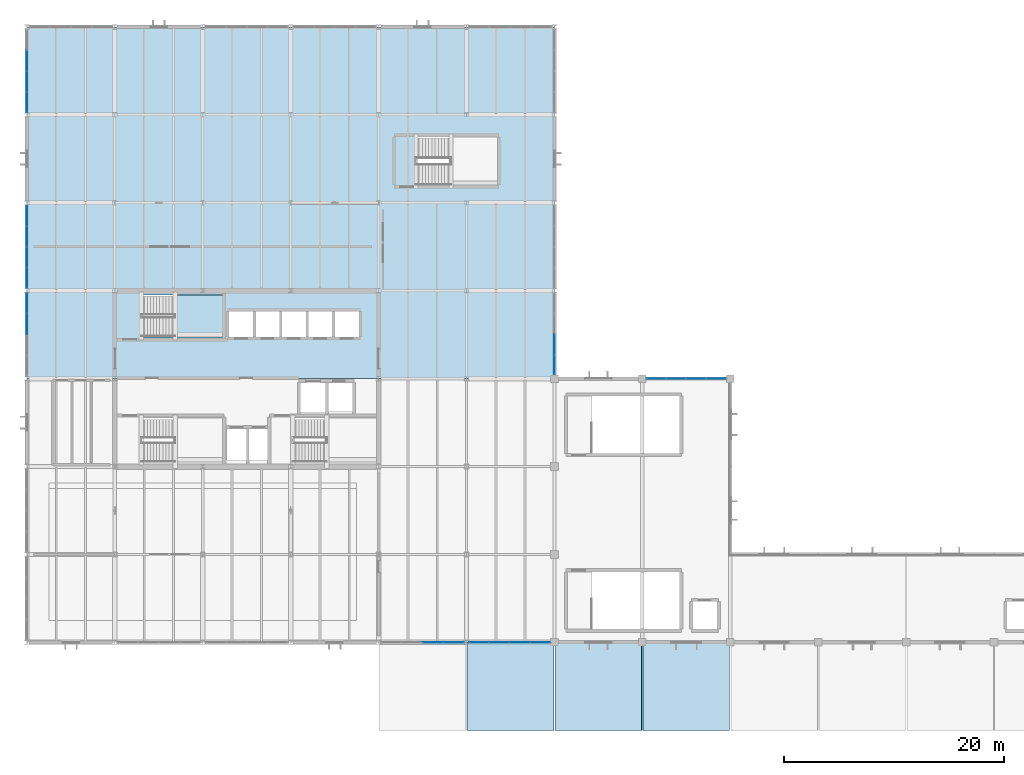
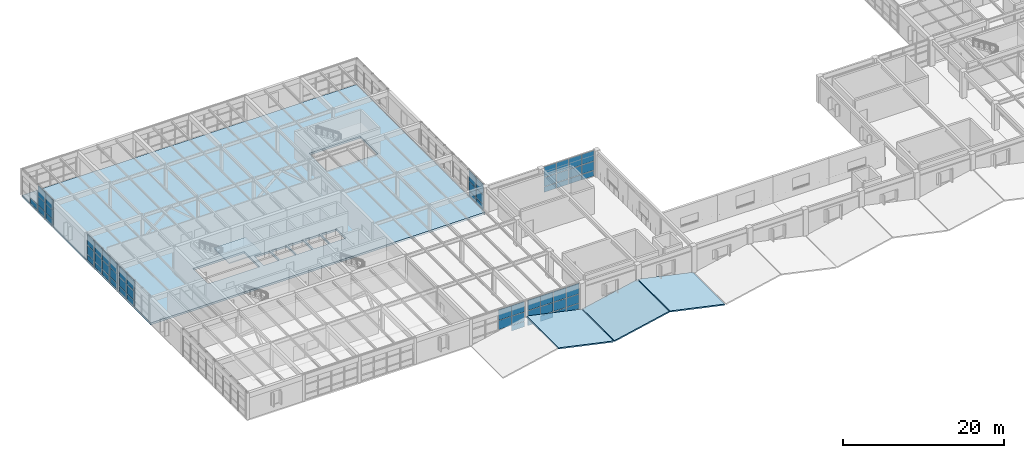
# One storey, part 30 of 48: 60 plates, 5 slabs, 8 elements without a shape of their own.
"""IFC4 building model written with IfcOpenShell, lengths in metres."""

from ifc_helpers import new_model, si_unit, direction, frame, origin, origin_2d, place, context, subcontext, project, spatial, polyline, rectangle, outline, extrude, material, layer, layer_set, type_object, element, aggregate, save


model = new_model("IFC4")

# Units and contexts
model_context = context("Model", 3, precision=1e-05, world=origin(), true_north=direction((0.0, 1.0)))
body_context = subcontext(model_context, "Body", "Model", "MODEL_VIEW")
ifc_project = project(units=[si_unit("LENGTHUNIT", "METRE"), si_unit("AREAUNIT", "SQUARE_METRE"), si_unit("VOLUMEUNIT", "CUBIC_METRE"), si_unit("PLANEANGLEUNIT", "RADIAN"), si_unit("MASSUNIT", "GRAM", prefix="KILO")], contexts=[model_context])

# Site, building, storey
site_placement = place(None, origin())
site = spatial("IfcSite", under=ifc_project, at=site_placement, CompositionType="ELEMENT")
building_placement = place(site_placement, origin())
building = spatial("IfcBuilding", under=site, at=building_placement, Name="Varnela Railside Interchange", CompositionType="ELEMENT")
storey_placement = place(building_placement, frame((0.0, 0.0, 11.199951171875)))
storey = spatial("IfcBuildingStorey", under=building, at=storey_placement, Name="L02", CompositionType="ELEMENT", Elevation=11.199951171875)

# Curtain wall, plates
ifc_material_1 = material(Name="Aluminium 6063-T6", Category="aluminium")
ifc_layer_1 = layer(ifc_material_1, 0.035888671875)
ifc_layer_set_1 = layer_set([ifc_layer_1], Name="Aluminium 6063-T6")
curtain_wall_type_1 = type_object("IfcCurtainWallType", Name="Operations Wing Facade Curtain Wall CW-03", PredefinedType="USERDEFINED", material=ifc_layer_set_1)
curtain_wall_1_placement = place(storey_placement, origin())
curtain_wall_1 = element("IfcCurtainWall", 1, at=curtain_wall_1_placement, inside=storey, type_object=curtain_wall_type_1, Name="Curtain Wall CW-03 (L02) (CW-047)", ObjectType="CURTAIN WALL", PredefinedType="USERDEFINED")
ifc_material_2 = material(Name="Glass laminated double", Category="glass")
ifc_layer_2 = layer(ifc_material_2, 0.0400390625)
ifc_layer_set_2 = layer_set([ifc_layer_2], Name="Glass laminated double")
plate_type_1 = type_object("IfcPlateType", Name="Acoustic Laminated Vision GL-03", PredefinedType="CURTAIN_PANEL", material=ifc_layer_set_2)
plate_1_placement = place(storey_placement, frame((4.0, 66.953125, 0.06005859375), z_axis=(0.0, 0.0, 1.0), x_axis=(0.0, 1.0, 0.0)))
plate_1 = element("IfcPlate", 2, at=plate_1_placement, type_object=plate_type_1, Name="CW-03 panel 3.1", PredefinedType="CURTAIN_PANEL", context=body_context, shape_type="SweptSolid", body=[
    extrude(rectangle(XDim=1.84619140625, YDim=0.0400390625, at=origin_2d()), origin(), (0.0, 0.0, 1.0), 0.81005859375),
])
plate_2_placement = place(storey_placement, frame((4.0, 66.953125, 0.93017578125), z_axis=(0.0, 0.0, 1.0), x_axis=(0.0, 1.0, 0.0)))
plate_2 = element("IfcPlate", 3, at=plate_2_placement, type_object=plate_type_1, Name="CW-03 panel 3.2", PredefinedType="CURTAIN_PANEL", context=body_context, shape_type="SweptSolid", body=[
    extrude(rectangle(XDim=1.84619140625, YDim=0.0400390625, at=origin_2d()), origin(), (0.0, 0.0, 1.0), 1.360107421875),
])
plate_3_placement = place(storey_placement, frame((4.0, 66.953125, 2.35009765625), z_axis=(0.0, 0.0, 1.0), x_axis=(0.0, 1.0, 0.0)))
plate_3 = element("IfcPlate", 4, at=plate_3_placement, type_object=plate_type_1, Name="CW-03 panel 3.3", PredefinedType="CURTAIN_PANEL", context=body_context, shape_type="SweptSolid", body=[
    extrude(rectangle(XDim=1.84619140625, YDim=0.0400390625, at=origin_2d()), origin(), (0.0, 0.0, 1.0), 1.590087890625),
])
plate_4_placement = place(storey_placement, frame((4.0, 68.844482421875, 0.06005859375), z_axis=(0.0, 0.0, 1.0), x_axis=(0.0, 1.0, 0.0)))
plate_4 = element("IfcPlate", 5, at=plate_4_placement, type_object=plate_type_1, Name="CW-03 panel 4.1", PredefinedType="CURTAIN_PANEL", context=body_context, shape_type="SweptSolid", body=[
    extrude(rectangle(XDim=1.816162109375, YDim=0.0400390625, at=origin_2d()), origin(), (0.0, 0.0, 1.0), 0.81005859375),
])
plate_5_placement = place(storey_placement, frame((4.0, 68.844482421875, 0.93017578125), z_axis=(0.0, 0.0, 1.0), x_axis=(0.0, 1.0, 0.0)))
plate_5 = element("IfcPlate", 6, at=plate_5_placement, type_object=plate_type_1, Name="CW-03 panel 4.2", PredefinedType="CURTAIN_PANEL", context=body_context, shape_type="SweptSolid", body=[
    extrude(rectangle(XDim=1.816162109375, YDim=0.0400390625, at=origin_2d()), origin(), (0.0, 0.0, 1.0), 1.360107421875),
])
plate_6_placement = place(storey_placement, frame((4.0, 68.844482421875, 2.35009765625), z_axis=(0.0, 0.0, 1.0), x_axis=(0.0, 1.0, 0.0)))
plate_6 = element("IfcPlate", 7, at=plate_6_placement, type_object=plate_type_1, Name="CW-03 panel 4.3", PredefinedType="CURTAIN_PANEL", context=body_context, shape_type="SweptSolid", body=[
    extrude(rectangle(XDim=1.816162109375, YDim=0.0400390625, at=origin_2d()), origin(), (0.0, 0.0, 1.0), 1.590087890625),
])
aggregate(curtain_wall_1, [plate_1, plate_2, plate_3, plate_4, plate_5, plate_6])

curtain_wall_2_placement = place(storey_placement, origin())
curtain_wall_2 = element("IfcCurtainWall", 8, at=curtain_wall_2_placement, inside=storey, type_object=curtain_wall_type_1, Name="Curtain Wall CW-03 (L02) (CW-053)", ObjectType="CURTAIN WALL", PredefinedType="USERDEFINED")
plate_7_placement = place(storey_placement, frame((4.0, 71.155517578125, 0.06005859375), z_axis=(0.0, 0.0, 1.0), x_axis=(0.0, 1.0, 0.0)))
plate_7 = element("IfcPlate", 9, at=plate_7_placement, type_object=plate_type_1, Name="CW-03 panel 1.1", PredefinedType="CURTAIN_PANEL", context=body_context, shape_type="SweptSolid", body=[
    extrude(rectangle(XDim=1.816162109375, YDim=0.0400390625, at=origin_2d()), origin(), (0.0, 0.0, 1.0), 0.81005859375),
])
plate_8_placement = place(storey_placement, frame((4.0, 71.155517578125, 0.93017578125), z_axis=(0.0, 0.0, 1.0), x_axis=(0.0, 1.0, 0.0)))
plate_8 = element("IfcPlate", 10, at=plate_8_placement, type_object=plate_type_1, Name="CW-03 panel 1.2", PredefinedType="CURTAIN_PANEL", context=body_context, shape_type="SweptSolid", body=[
    extrude(rectangle(XDim=1.816162109375, YDim=0.0400390625, at=origin_2d()), origin(), (0.0, 0.0, 1.0), 1.360107421875),
])
plate_9_placement = place(storey_placement, frame((4.0, 71.155517578125, 2.35009765625), z_axis=(0.0, 0.0, 1.0), x_axis=(0.0, 1.0, 0.0)))
plate_9 = element("IfcPlate", 11, at=plate_9_placement, type_object=plate_type_1, Name="CW-03 panel 1.3", PredefinedType="CURTAIN_PANEL", context=body_context, shape_type="SweptSolid", body=[
    extrude(rectangle(XDim=1.816162109375, YDim=0.0400390625, at=origin_2d()), origin(), (0.0, 0.0, 1.0), 1.590087890625),
])
plate_10_placement = place(storey_placement, frame((4.0, 73.046875, 0.06005859375), z_axis=(0.0, 0.0, 1.0), x_axis=(0.0, 1.0, 0.0)))
plate_10 = element("IfcPlate", 12, at=plate_10_placement, type_object=plate_type_1, Name="CW-03 panel 2.1", PredefinedType="CURTAIN_PANEL", context=body_context, shape_type="SweptSolid", body=[
    extrude(rectangle(XDim=1.84619140625, YDim=0.0400390625, at=origin_2d()), origin(), (0.0, 0.0, 1.0), 0.81005859375),
])
plate_11_placement = place(storey_placement, frame((4.0, 73.046875, 0.93017578125), z_axis=(0.0, 0.0, 1.0), x_axis=(0.0, 1.0, 0.0)))
plate_11 = element("IfcPlate", 13, at=plate_11_placement, type_object=plate_type_1, Name="CW-03 panel 2.2", PredefinedType="CURTAIN_PANEL", context=body_context, shape_type="SweptSolid", body=[
    extrude(rectangle(XDim=1.84619140625, YDim=0.0400390625, at=origin_2d()), origin(), (0.0, 0.0, 1.0), 1.360107421875),
])
plate_12_placement = place(storey_placement, frame((4.0, 73.046875, 2.35009765625), z_axis=(0.0, 0.0, 1.0), x_axis=(0.0, 1.0, 0.0)))
plate_12 = element("IfcPlate", 14, at=plate_12_placement, type_object=plate_type_1, Name="CW-03 panel 2.3", PredefinedType="CURTAIN_PANEL", context=body_context, shape_type="SweptSolid", body=[
    extrude(rectangle(XDim=1.84619140625, YDim=0.0400390625, at=origin_2d()), origin(), (0.0, 0.0, 1.0), 1.590087890625),
])
plate_13_placement = place(storey_placement, frame((4.0, 74.953125, 0.06005859375), z_axis=(0.0, 0.0, 1.0), x_axis=(0.0, 1.0, 0.0)))
plate_13 = element("IfcPlate", 15, at=plate_13_placement, type_object=plate_type_1, Name="CW-03 panel 3.1", PredefinedType="CURTAIN_PANEL", context=body_context, shape_type="SweptSolid", body=[
    extrude(rectangle(XDim=1.84619140625, YDim=0.0400390625, at=origin_2d()), origin(), (0.0, 0.0, 1.0), 0.81005859375),
])
plate_14_placement = place(storey_placement, frame((4.0, 74.953125, 0.93017578125), z_axis=(0.0, 0.0, 1.0), x_axis=(0.0, 1.0, 0.0)))
plate_14 = element("IfcPlate", 16, at=plate_14_placement, type_object=plate_type_1, Name="CW-03 panel 3.2", PredefinedType="CURTAIN_PANEL", context=body_context, shape_type="SweptSolid", body=[
    extrude(rectangle(XDim=1.84619140625, YDim=0.0400390625, at=origin_2d()), origin(), (0.0, 0.0, 1.0), 1.360107421875),
])
plate_15_placement = place(storey_placement, frame((4.0, 74.953125, 2.35009765625), z_axis=(0.0, 0.0, 1.0), x_axis=(0.0, 1.0, 0.0)))
plate_15 = element("IfcPlate", 17, at=plate_15_placement, type_object=plate_type_1, Name="CW-03 panel 3.3", PredefinedType="CURTAIN_PANEL", context=body_context, shape_type="SweptSolid", body=[
    extrude(rectangle(XDim=1.84619140625, YDim=0.0400390625, at=origin_2d()), origin(), (0.0, 0.0, 1.0), 1.590087890625),
])
plate_16_placement = place(storey_placement, frame((4.0, 76.844482421875, 0.06005859375), z_axis=(0.0, 0.0, 1.0), x_axis=(0.0, 1.0, 0.0)))
plate_16 = element("IfcPlate", 18, at=plate_16_placement, type_object=plate_type_1, Name="CW-03 panel 4.1", PredefinedType="CURTAIN_PANEL", context=body_context, shape_type="SweptSolid", body=[
    extrude(rectangle(XDim=1.816162109375, YDim=0.0400390625, at=origin_2d()), origin(), (0.0, 0.0, 1.0), 0.81005859375),
])
plate_17_placement = place(storey_placement, frame((4.0, 76.844482421875, 0.93017578125), z_axis=(0.0, 0.0, 1.0), x_axis=(0.0, 1.0, 0.0)))
plate_17 = element("IfcPlate", 19, at=plate_17_placement, type_object=plate_type_1, Name="CW-03 panel 4.2", PredefinedType="CURTAIN_PANEL", context=body_context, shape_type="SweptSolid", body=[
    extrude(rectangle(XDim=1.816162109375, YDim=0.0400390625, at=origin_2d()), origin(), (0.0, 0.0, 1.0), 1.360107421875),
])
plate_18_placement = place(storey_placement, frame((4.0, 76.844482421875, 2.35009765625), z_axis=(0.0, 0.0, 1.0), x_axis=(0.0, 1.0, 0.0)))
plate_18 = element("IfcPlate", 20, at=plate_18_placement, type_object=plate_type_1, Name="CW-03 panel 4.3", PredefinedType="CURTAIN_PANEL", context=body_context, shape_type="SweptSolid", body=[
    extrude(rectangle(XDim=1.816162109375, YDim=0.0400390625, at=origin_2d()), origin(), (0.0, 0.0, 1.0), 1.590087890625),
])
aggregate(curtain_wall_2, [plate_7, plate_8, plate_9, plate_10, plate_11, plate_12, plate_13, plate_14, plate_15, plate_16, plate_17, plate_18])

curtain_wall_3_placement = place(storey_placement, origin())
curtain_wall_3 = element("IfcCurtainWall", 21, at=curtain_wall_3_placement, inside=storey, type_object=curtain_wall_type_1, Name="Curtain Wall CW-03 (L02) (CW-061)", ObjectType="CURTAIN WALL", PredefinedType="USERDEFINED")
plate_19_placement = place(storey_placement, frame((4.0, 87.155517578125, 0.06005859375), z_axis=(0.0, 0.0, 1.0), x_axis=(0.0, 1.0, 0.0)))
plate_19 = element("IfcPlate", 22, at=plate_19_placement, type_object=plate_type_1, Name="CW-03 panel 1.1", PredefinedType="CURTAIN_PANEL", context=body_context, shape_type="SweptSolid", body=[
    extrude(rectangle(XDim=1.816162109375, YDim=0.0400390625, at=origin_2d()), origin(), (0.0, 0.0, 1.0), 0.81005859375),
])
plate_20_placement = place(storey_placement, frame((4.0, 87.155517578125, 0.93017578125), z_axis=(0.0, 0.0, 1.0), x_axis=(0.0, 1.0, 0.0)))
plate_20 = element("IfcPlate", 23, at=plate_20_placement, type_object=plate_type_1, Name="CW-03 panel 1.2", PredefinedType="CURTAIN_PANEL", context=body_context, shape_type="SweptSolid", body=[
    extrude(rectangle(XDim=1.816162109375, YDim=0.0400390625, at=origin_2d()), origin(), (0.0, 0.0, 1.0), 1.360107421875),
])
plate_21_placement = place(storey_placement, frame((4.0, 87.155517578125, 2.35009765625), z_axis=(0.0, 0.0, 1.0), x_axis=(0.0, 1.0, 0.0)))
plate_21 = element("IfcPlate", 24, at=plate_21_placement, type_object=plate_type_1, Name="CW-03 panel 1.3", PredefinedType="CURTAIN_PANEL", context=body_context, shape_type="SweptSolid", body=[
    extrude(rectangle(XDim=1.816162109375, YDim=0.0400390625, at=origin_2d()), origin(), (0.0, 0.0, 1.0), 1.590087890625),
])
plate_22_placement = place(storey_placement, frame((4.0, 89.046875, 0.06005859375), z_axis=(0.0, 0.0, 1.0), x_axis=(0.0, 1.0, 0.0)))
plate_22 = element("IfcPlate", 25, at=plate_22_placement, type_object=plate_type_1, Name="CW-03 panel 2.1", PredefinedType="CURTAIN_PANEL", context=body_context, shape_type="SweptSolid", body=[
    extrude(rectangle(XDim=1.84619140625, YDim=0.0400390625, at=origin_2d()), origin(), (0.0, 0.0, 1.0), 0.81005859375),
])
plate_23_placement = place(storey_placement, frame((4.0, 89.046875, 0.93017578125), z_axis=(0.0, 0.0, 1.0), x_axis=(0.0, 1.0, 0.0)))
plate_23 = element("IfcPlate", 26, at=plate_23_placement, type_object=plate_type_1, Name="CW-03 panel 2.2", PredefinedType="CURTAIN_PANEL", context=body_context, shape_type="SweptSolid", body=[
    extrude(rectangle(XDim=1.84619140625, YDim=0.0400390625, at=origin_2d()), origin(), (0.0, 0.0, 1.0), 1.360107421875),
])
plate_24_placement = place(storey_placement, frame((4.0, 89.046875, 2.35009765625), z_axis=(0.0, 0.0, 1.0), x_axis=(0.0, 1.0, 0.0)))
plate_24 = element("IfcPlate", 27, at=plate_24_placement, type_object=plate_type_1, Name="CW-03 panel 2.3", PredefinedType="CURTAIN_PANEL", context=body_context, shape_type="SweptSolid", body=[
    extrude(rectangle(XDim=1.84619140625, YDim=0.0400390625, at=origin_2d()), origin(), (0.0, 0.0, 1.0), 1.590087890625),
])
plate_25_placement = place(storey_placement, frame((4.0, 90.953125, 0.06005859375), z_axis=(0.0, 0.0, 1.0), x_axis=(0.0, 1.0, 0.0)))
plate_25 = element("IfcPlate", 28, at=plate_25_placement, type_object=plate_type_1, Name="CW-03 panel 3.1", PredefinedType="CURTAIN_PANEL", context=body_context, shape_type="SweptSolid", body=[
    extrude(rectangle(XDim=1.84619140625, YDim=0.0400390625, at=origin_2d()), origin(), (0.0, 0.0, 1.0), 0.81005859375),
])
aggregate(curtain_wall_3, [plate_19, plate_20, plate_21, plate_22, plate_23, plate_24, plate_25])

curtain_wall_4_placement = place(storey_placement, origin())
curtain_wall_4 = element("IfcCurtainWall", 29, at=curtain_wall_4_placement, inside=storey, type_object=curtain_wall_type_1, Name="Curtain Wall CW-03 (L02) (CW-051)", ObjectType="CURTAIN WALL", PredefinedType="USERDEFINED")
plate_26_placement = place(storey_placement, frame((52.0, 65.1484375, 0.06005859375), z_axis=(0.0, 0.0, 1.0), x_axis=(0.0, -1.0, 0.0)))
plate_26 = element("IfcPlate", 30, at=plate_26_placement, type_object=plate_type_1, Name="CW-03 panel 3.1", PredefinedType="CURTAIN_PANEL", context=body_context, shape_type="SweptSolid", body=[
    extrude(rectangle(XDim=1.8056640625, YDim=0.0400390625, at=origin_2d()), origin(), (0.0, 0.0, 1.0), 0.81005859375),
])
plate_27_placement = place(storey_placement, frame((52.0, 65.1484375, 0.93017578125), z_axis=(0.0, 0.0, 1.0), x_axis=(0.0, -1.0, 0.0)))
plate_27 = element("IfcPlate", 31, at=plate_27_placement, type_object=plate_type_1, Name="CW-03 panel 3.2", PredefinedType="CURTAIN_PANEL", context=body_context, shape_type="SweptSolid", body=[
    extrude(rectangle(XDim=1.8056640625, YDim=0.0400390625, at=origin_2d()), origin(), (0.0, 0.0, 1.0), 1.360107421875),
])
plate_28_placement = place(storey_placement, frame((52.0, 65.1484375, 2.35009765625), z_axis=(0.0, 0.0, 1.0), x_axis=(0.0, -1.0, 0.0)))
plate_28 = element("IfcPlate", 32, at=plate_28_placement, type_object=plate_type_1, Name="CW-03 panel 3.3", PredefinedType="CURTAIN_PANEL", context=body_context, shape_type="SweptSolid", body=[
    extrude(rectangle(XDim=1.8056640625, YDim=0.0400390625, at=origin_2d()), origin(), (0.0, 0.0, 1.0), 1.590087890625),
])
plate_29_placement = place(storey_placement, frame((52.0, 63.2978515625, 0.06005859375), z_axis=(0.0, 0.0, 1.0), x_axis=(0.0, -1.0, 0.0)))
plate_29 = element("IfcPlate", 33, at=plate_29_placement, type_object=plate_type_1, Name="CW-03 panel 4.1", PredefinedType="CURTAIN_PANEL", context=body_context, shape_type="SweptSolid", body=[
    extrude(rectangle(XDim=1.775634765625, YDim=0.0400390625, at=origin_2d()), origin(), (0.0, 0.0, 1.0), 0.81005859375),
])
plate_30_placement = place(storey_placement, frame((52.0, 63.2978515625, 0.93017578125), z_axis=(0.0, 0.0, 1.0), x_axis=(0.0, -1.0, 0.0)))
plate_30 = element("IfcPlate", 34, at=plate_30_placement, type_object=plate_type_1, Name="CW-03 panel 4.2", PredefinedType="CURTAIN_PANEL", context=body_context, shape_type="SweptSolid", body=[
    extrude(rectangle(XDim=1.775634765625, YDim=0.0400390625, at=origin_2d()), origin(), (0.0, 0.0, 1.0), 1.360107421875),
])
plate_31_placement = place(storey_placement, frame((52.0, 63.2978515625, 2.35009765625), z_axis=(0.0, 0.0, 1.0), x_axis=(0.0, -1.0, 0.0)))
plate_31 = element("IfcPlate", 35, at=plate_31_placement, type_object=plate_type_1, Name="CW-03 panel 4.3", PredefinedType="CURTAIN_PANEL", context=body_context, shape_type="SweptSolid", body=[
    extrude(rectangle(XDim=1.775634765625, YDim=0.0400390625, at=origin_2d()), origin(), (0.0, 0.0, 1.0), 1.590087890625),
])
aggregate(curtain_wall_4, [plate_26, plate_27, plate_28, plate_29, plate_30, plate_31])

curtain_wall_5_placement = place(storey_placement, origin())
curtain_wall_5 = element("IfcCurtainWall", 36, at=curtain_wall_5_placement, inside=storey, type_object=curtain_wall_type_1, Name="Curtain Wall CW-03 (L02) (CW-068)", ObjectType="CURTAIN WALL", PredefinedType="USERDEFINED")
plate_32_placement = place(storey_placement, frame((50.703369140625, 38.0, 0.06005859375), z_axis=(0.0, 0.0, 1.0), x_axis=(-1.0, 0.0, 0.0)))
plate_32 = element("IfcPlate", 37, at=plate_32_placement, type_object=plate_type_1, Name="CW-03 panel 1.1", PredefinedType="CURTAIN_PANEL", context=body_context, shape_type="SweptSolid", body=[
    extrude(rectangle(XDim=1.773193359375, YDim=0.0400390625, at=origin_2d()), origin(), (0.0, 0.0, 1.0), 0.81005859375),
])
plate_33_placement = place(storey_placement, frame((50.703369140625, 38.0, 0.93017578125), z_axis=(0.0, 0.0, 1.0), x_axis=(-1.0, 0.0, 0.0)))
plate_33 = element("IfcPlate", 38, at=plate_33_placement, type_object=plate_type_1, Name="CW-03 panel 1.2", PredefinedType="CURTAIN_PANEL", context=body_context, shape_type="SweptSolid", body=[
    extrude(rectangle(XDim=1.773193359375, YDim=0.0400390625, at=origin_2d()), origin(), (0.0, 0.0, 1.0), 1.360107421875),
])
plate_34_placement = place(storey_placement, frame((50.703369140625, 38.0, 2.35009765625), z_axis=(0.0, 0.0, 1.0), x_axis=(-1.0, 0.0, 0.0)))
plate_34 = element("IfcPlate", 39, at=plate_34_placement, type_object=plate_type_1, Name="CW-03 panel 1.3", PredefinedType="CURTAIN_PANEL", context=body_context, shape_type="SweptSolid", body=[
    extrude(rectangle(XDim=1.773193359375, YDim=0.0400390625, at=origin_2d()), origin(), (0.0, 0.0, 1.0), 1.590087890625),
])
plate_35_placement = place(storey_placement, frame((48.855224609375, 38.0, 0.06005859375), z_axis=(0.0, 0.0, 1.0), x_axis=(-1.0, 0.0, 0.0)))
plate_35 = element("IfcPlate", 40, at=plate_35_placement, type_object=plate_type_1, Name="CW-03 panel 2.1", PredefinedType="CURTAIN_PANEL", context=body_context, shape_type="SweptSolid", body=[
    extrude(rectangle(XDim=1.80322265625, YDim=0.0400390625, at=origin_2d()), origin(), (0.0, 0.0, 1.0), 0.81005859375),
])
plate_36_placement = place(storey_placement, frame((48.855224609375, 38.0, 0.93017578125), z_axis=(0.0, 0.0, 1.0), x_axis=(-1.0, 0.0, 0.0)))
plate_36 = element("IfcPlate", 41, at=plate_36_placement, type_object=plate_type_1, Name="CW-03 panel 2.2", PredefinedType="CURTAIN_PANEL", context=body_context, shape_type="SweptSolid", body=[
    extrude(rectangle(XDim=1.80322265625, YDim=0.0400390625, at=origin_2d()), origin(), (0.0, 0.0, 1.0), 1.360107421875),
])
plate_37_placement = place(storey_placement, frame((48.855224609375, 38.0, 2.35009765625), z_axis=(0.0, 0.0, 1.0), x_axis=(-1.0, 0.0, 0.0)))
plate_37 = element("IfcPlate", 42, at=plate_37_placement, type_object=plate_type_1, Name="CW-03 panel 2.3", PredefinedType="CURTAIN_PANEL", context=body_context, shape_type="SweptSolid", body=[
    extrude(rectangle(XDim=1.80322265625, YDim=0.0400390625, at=origin_2d()), origin(), (0.0, 0.0, 1.0), 1.590087890625),
])
plate_38_placement = place(storey_placement, frame((46.991943359375, 38.0, 0.06005859375), z_axis=(0.0, 0.0, 1.0), x_axis=(-1.0, 0.0, 0.0)))
plate_38 = element("IfcPlate", 43, at=plate_38_placement, type_object=plate_type_1, Name="CW-03 panel 3.1", PredefinedType="CURTAIN_PANEL", context=body_context, shape_type="SweptSolid", body=[
    extrude(rectangle(XDim=1.80322265625, YDim=0.0400390625, at=origin_2d()), origin(), (0.0, 0.0, 1.0), 0.81005859375),
])
plate_39_placement = place(storey_placement, frame((46.991943359375, 38.0, 0.93017578125), z_axis=(0.0, 0.0, 1.0), x_axis=(-1.0, 0.0, 0.0)))
plate_39 = element("IfcPlate", 44, at=plate_39_placement, type_object=plate_type_1, Name="CW-03 panel 3.2", PredefinedType="CURTAIN_PANEL", context=body_context, shape_type="SweptSolid", body=[
    extrude(rectangle(XDim=1.80322265625, YDim=0.0400390625, at=origin_2d()), origin(), (0.0, 0.0, 1.0), 1.360107421875),
])
plate_40_placement = place(storey_placement, frame((46.991943359375, 38.0, 2.35009765625), z_axis=(0.0, 0.0, 1.0), x_axis=(-1.0, 0.0, 0.0)))
plate_40 = element("IfcPlate", 45, at=plate_40_placement, type_object=plate_type_1, Name="CW-03 panel 3.3", PredefinedType="CURTAIN_PANEL", context=body_context, shape_type="SweptSolid", body=[
    extrude(rectangle(XDim=1.80322265625, YDim=0.0400390625, at=origin_2d()), origin(), (0.0, 0.0, 1.0), 1.590087890625),
])
plate_41_placement = place(storey_placement, frame((45.1435546875, 38.0, 0.06005859375), z_axis=(0.0, 0.0, 1.0), x_axis=(-1.0, 0.0, 0.0)))
plate_41 = element("IfcPlate", 46, at=plate_41_placement, type_object=plate_type_1, Name="CW-03 panel 4.1", PredefinedType="CURTAIN_PANEL", context=body_context, shape_type="SweptSolid", body=[
    extrude(rectangle(XDim=1.773193359375, YDim=0.0400390625, at=origin_2d()), origin(), (0.0, 0.0, 1.0), 0.81005859375),
])
plate_42_placement = place(storey_placement, frame((45.1435546875, 38.0, 0.93017578125), z_axis=(0.0, 0.0, 1.0), x_axis=(-1.0, 0.0, 0.0)))
plate_42 = element("IfcPlate", 47, at=plate_42_placement, type_object=plate_type_1, Name="CW-03 panel 4.2", PredefinedType="CURTAIN_PANEL", context=body_context, shape_type="SweptSolid", body=[
    extrude(rectangle(XDim=1.773193359375, YDim=0.0400390625, at=origin_2d()), origin(), (0.0, 0.0, 1.0), 1.360107421875),
])
plate_43_placement = place(storey_placement, frame((45.1435546875, 38.0, 2.35009765625), z_axis=(0.0, 0.0, 1.0), x_axis=(-1.0, 0.0, 0.0)))
plate_43 = element("IfcPlate", 48, at=plate_43_placement, type_object=plate_type_1, Name="CW-03 panel 4.3", PredefinedType="CURTAIN_PANEL", context=body_context, shape_type="SweptSolid", body=[
    extrude(rectangle(XDim=1.773193359375, YDim=0.0400390625, at=origin_2d()), origin(), (0.0, 0.0, 1.0), 1.590087890625),
])
aggregate(curtain_wall_5, [plate_32, plate_33, plate_34, plate_35, plate_36, plate_37, plate_38, plate_39, plate_40, plate_41, plate_42, plate_43])

curtain_wall_6_placement = place(storey_placement, origin())
curtain_wall_6 = element("IfcCurtainWall", 49, at=curtain_wall_6_placement, inside=storey, type_object=curtain_wall_type_1, Name="Curtain Wall CW-03 (L02) (CW-069)", ObjectType="CURTAIN WALL", PredefinedType="USERDEFINED")
plate_44_placement = place(storey_placement, frame((42.837158203125, 38.0, 0.06005859375), z_axis=(0.0, 0.0, 1.0), x_axis=(-1.0, 0.0, 0.0)))
plate_44 = element("IfcPlate", 50, at=plate_44_placement, type_object=plate_type_1, Name="CW-03 panel 1.1", PredefinedType="CURTAIN_PANEL", context=body_context, shape_type="SweptSolid", body=[
    extrude(rectangle(XDim=1.8115234375, YDim=0.0400390625, at=origin_2d()), origin(), (0.0, 0.0, 1.0), 0.81005859375),
])
plate_45_placement = place(storey_placement, frame((42.837158203125, 38.0, 0.93017578125), z_axis=(0.0, 0.0, 1.0), x_axis=(-1.0, 0.0, 0.0)))
plate_45 = element("IfcPlate", 51, at=plate_45_placement, type_object=plate_type_1, Name="CW-03 panel 1.2", PredefinedType="CURTAIN_PANEL", context=body_context, shape_type="SweptSolid", body=[
    extrude(rectangle(XDim=1.8115234375, YDim=0.0400390625, at=origin_2d()), origin(), (0.0, 0.0, 1.0), 1.360107421875),
])
plate_46_placement = place(storey_placement, frame((42.837158203125, 38.0, 2.35009765625), z_axis=(0.0, 0.0, 1.0), x_axis=(-1.0, 0.0, 0.0)))
plate_46 = element("IfcPlate", 52, at=plate_46_placement, type_object=plate_type_1, Name="CW-03 panel 1.3", PredefinedType="CURTAIN_PANEL", context=body_context, shape_type="SweptSolid", body=[
    extrude(rectangle(XDim=1.8115234375, YDim=0.0400390625, at=origin_2d()), origin(), (0.0, 0.0, 1.0), 1.590087890625),
])
plate_47_placement = place(storey_placement, frame((40.95068359375, 38.0, 0.93017578125), z_axis=(0.0, 0.0, 1.0), x_axis=(-1.0, 0.0, 0.0)))
plate_47 = element("IfcPlate", 53, at=plate_47_placement, type_object=plate_type_1, Name="CW-03 panel 2.2", PredefinedType="CURTAIN_PANEL", context=body_context, shape_type="SweptSolid", body=[
    extrude(rectangle(XDim=1.841552734375, YDim=0.0400390625, at=origin_2d()), origin(), (0.0, 0.0, 1.0), 1.360107421875),
])
plate_48_placement = place(storey_placement, frame((40.95068359375, 38.0, 2.35009765625), z_axis=(0.0, 0.0, 1.0), x_axis=(-1.0, 0.0, 0.0)))
plate_48 = element("IfcPlate", 54, at=plate_48_placement, type_object=plate_type_1, Name="CW-03 panel 2.3", PredefinedType="CURTAIN_PANEL", context=body_context, shape_type="SweptSolid", body=[
    extrude(rectangle(XDim=1.841552734375, YDim=0.0400390625, at=origin_2d()), origin(), (0.0, 0.0, 1.0), 1.590087890625),
])
aggregate(curtain_wall_6, [plate_44, plate_45, plate_46, plate_47, plate_48])

# Slabs
ifc_material_3 = material(Name="Concrete C40", Category="concrete")
ifc_layer_3 = layer(ifc_material_3, 0.300048828125)
ifc_layer_set_3 = layer_set([ifc_layer_3], Name="Concrete C40")
slab_type_1 = type_object("IfcSlabType", Name="Auditorium & Concourse Slab SL-L02", PredefinedType="FLOOR", material=ifc_layer_set_3)
slab_1_placement = place(storey_placement, frame((0.0, 0.0, -0.300048828125)))
element("IfcSlab", 55, at=slab_1_placement, inside=storey, type_object=slab_type_1, Name="Auditorium & Concourse Slab SL-L02 (L02) (SL-0135)", PredefinedType="FLOOR", context=body_context, shape_type="SweptSolid", body=[
    extrude(outline(polyline([(4.0, 62.0), (52.0, 62.0), (52.0, 94.0), (4.0, 94.0), (4.0, 62.0)]), holes=[polyline([(14.429931640625, 65.800048828125), (21.800048828125, 65.800048828125), (21.800048828125, 69.60009765625), (14.429931640625, 69.60009765625), (14.429931640625, 65.800048828125)]), polyline([(39.429931640625, 79.60009765625), (46.800048828125, 79.60009765625), (46.800048828125, 84.0), (39.429931640625, 84.0), (39.429931640625, 79.60009765625)]), polyline([(22.39990234375, 65.800048828125), (24.60009765625, 65.800048828125), (24.60009765625, 68.10009765625), (22.39990234375, 68.10009765625), (22.39990234375, 65.800048828125)]), polyline([(24.800048828125, 65.800048828125), (27.0, 65.800048828125), (27.0, 68.10009765625), (24.800048828125, 68.10009765625), (24.800048828125, 65.800048828125)]), polyline([(27.199951171875, 65.800048828125), (29.39990234375, 65.800048828125), (29.39990234375, 68.10009765625), (27.199951171875, 68.10009765625), (27.199951171875, 65.800048828125)]), polyline([(29.60009765625, 65.800048828125), (31.800048828125, 65.800048828125), (31.800048828125, 68.10009765625), (29.60009765625, 68.10009765625), (29.60009765625, 65.800048828125)]), polyline([(32.0, 65.800048828125), (34.199951171875, 65.800048828125), (34.199951171875, 68.10009765625), (32.0, 68.10009765625), (32.0, 65.800048828125)])]), origin(), (0.0, 0.0, 1.0), 0.300048828125),
])
ifc_layer_4 = layer(ifc_material_3, 0.18994140625)
ifc_layer_set_4 = layer_set([ifc_layer_4], Name="Concrete C40")
slab_type_2 = type_object("IfcSlabType", Name="Folded-Plate Bus End Canopy Shell CS-02", PredefinedType="ROOF", material=ifc_layer_set_4)
for number, where, z_axis, x_axis, name in (
    (56, (44.06005859375, 30.0, 1.60009765625), (0.211489165579, 0.0, 0.977380341956), (0.977380341956, 0.0, -0.211489165579), "Folded-Plate Bus End Canopy Shell CS-02 (L02) (SL-0137)"),
    (57, (52.06005859375, 30.0, -0.10498046875), (-0.211489165579, 0.0, 0.977380341956), (0.977380341956, 0.0, 0.211489165579), "Folded-Plate Bus End Canopy Shell CS-02 (L02) (SL-0138)"),
    (58, (60.06005859375, 30.0, 1.60009765625), (0.211489165579, 0.0, 0.977380341956), (0.977380341956, 0.0, -0.211489165579), "Folded-Plate Bus End Canopy Shell CS-02 (L02) (SL-0139)"),
):
    element("IfcSlab", number, at=place(storey_placement, frame(where, z_axis=z_axis, x_axis=x_axis)), inside=storey, type_object=slab_type_2, Name=name, PredefinedType="ROOF", context=body_context, shape_type="SweptSolid", body=[
        extrude(outline(polyline([(0.0, 0.0), (8.062248107760418, 0.0), (8.062248107760418, 8.0), (0.0, 8.0), (0.0, 0.0)])), origin(), (0.0, 0.0, -1.0), 0.18994140625),
    ])

# Curtain wall, plates
ifc_layer_5 = layer(ifc_material_1, 0.035888671875)
ifc_layer_set_5 = layer_set([ifc_layer_5], Name="Aluminium 6063-T6")
curtain_wall_type_2 = type_object("IfcCurtainWallType", Name="Concourse Triple-Height Curtain Wall CW-01", PredefinedType="USERDEFINED", material=ifc_layer_set_5)
curtain_wall_7_placement = place(storey_placement, origin())
curtain_wall_7 = element("IfcCurtainWall", 59, at=curtain_wall_7_placement, inside=storey, type_object=curtain_wall_type_2, Name="Curtain Wall CW-01 (L02) (CW-052)", ObjectType="CURTAIN WALL", PredefinedType="USERDEFINED")
ifc_layer_6 = layer(ifc_material_2, 0.02001953125)
ifc_layer_set_6 = layer_set([ifc_layer_6], Name="Glass laminated double")
plate_type_2 = type_object("IfcPlateType", Name="Low-E Vision Glazing Panel GL-01", PredefinedType="CURTAIN_PANEL", material=ifc_layer_set_6)
plate_49_placement = place(storey_placement, frame((61.27880859375, 62.0, 0.06494140625), z_axis=(0.0, 0.0, 1.0), x_axis=(1.0, 0.0, 0.0)))
plate_49 = element("IfcPlate", 60, at=plate_49_placement, type_object=plate_type_2, Name="CW-01 panel 1.1", PredefinedType="CURTAIN_PANEL", context=body_context, shape_type="SweptSolid", body=[
    extrude(rectangle(XDim=1.7275390625, YDim=0.02001953125, at=origin_2d()), origin(), (0.0, 0.0, 1.0), 0.802490234375),
])
plate_50_placement = place(storey_placement, frame((61.27880859375, 62.0, 0.9326171875), z_axis=(0.0, 0.0, 1.0), x_axis=(1.0, 0.0, 0.0)))
plate_50 = element("IfcPlate", 61, at=plate_50_placement, type_object=plate_type_2, Name="CW-01 panel 1.2", PredefinedType="CURTAIN_PANEL", context=body_context, shape_type="SweptSolid", body=[
    extrude(rectangle(XDim=1.7275390625, YDim=0.02001953125, at=origin_2d()), origin(), (0.0, 0.0, 1.0), 1.35498046875),
])
plate_51_placement = place(storey_placement, frame((61.27880859375, 62.0, 2.3525390625), z_axis=(0.0, 0.0, 1.0), x_axis=(1.0, 0.0, 0.0)))
plate_51 = element("IfcPlate", 62, at=plate_51_placement, type_object=plate_type_2, Name="CW-01 panel 1.3", PredefinedType="CURTAIN_PANEL", context=body_context, shape_type="SweptSolid", body=[
    extrude(rectangle(XDim=1.7275390625, YDim=0.02001953125, at=origin_2d()), origin(), (0.0, 0.0, 1.0), 1.58251953125),
])
plate_52_placement = place(storey_placement, frame((63.08740234375, 62.0, 0.06494140625), z_axis=(0.0, 0.0, 1.0), x_axis=(1.0, 0.0, 0.0)))
plate_52 = element("IfcPlate", 63, at=plate_52_placement, type_object=plate_type_2, Name="CW-01 panel 2.1", PredefinedType="CURTAIN_PANEL", context=body_context, shape_type="SweptSolid", body=[
    extrude(rectangle(XDim=1.760009765625, YDim=0.02001953125, at=origin_2d()), origin(), (0.0, 0.0, 1.0), 0.802490234375),
])
plate_53_placement = place(storey_placement, frame((63.08740234375, 62.0, 0.9326171875), z_axis=(0.0, 0.0, 1.0), x_axis=(1.0, 0.0, 0.0)))
plate_53 = element("IfcPlate", 64, at=plate_53_placement, type_object=plate_type_2, Name="CW-01 panel 2.2", PredefinedType="CURTAIN_PANEL", context=body_context, shape_type="SweptSolid", body=[
    extrude(rectangle(XDim=1.760009765625, YDim=0.02001953125, at=origin_2d()), origin(), (0.0, 0.0, 1.0), 1.35498046875),
])
plate_54_placement = place(storey_placement, frame((63.08740234375, 62.0, 2.3525390625), z_axis=(0.0, 0.0, 1.0), x_axis=(1.0, 0.0, 0.0)))
plate_54 = element("IfcPlate", 65, at=plate_54_placement, type_object=plate_type_2, Name="CW-01 panel 2.3", PredefinedType="CURTAIN_PANEL", context=body_context, shape_type="SweptSolid", body=[
    extrude(rectangle(XDim=1.760009765625, YDim=0.02001953125, at=origin_2d()), origin(), (0.0, 0.0, 1.0), 1.58251953125),
])
plate_55_placement = place(storey_placement, frame((64.91259765625, 62.0, 0.06494140625), z_axis=(0.0, 0.0, 1.0), x_axis=(1.0, 0.0, 0.0)))
plate_55 = element("IfcPlate", 66, at=plate_55_placement, type_object=plate_type_2, Name="CW-01 panel 3.1", PredefinedType="CURTAIN_PANEL", context=body_context, shape_type="SweptSolid", body=[
    extrude(rectangle(XDim=1.760009765625, YDim=0.02001953125, at=origin_2d()), origin(), (0.0, 0.0, 1.0), 0.802490234375),
])
plate_56_placement = place(storey_placement, frame((64.91259765625, 62.0, 0.9326171875), z_axis=(0.0, 0.0, 1.0), x_axis=(1.0, 0.0, 0.0)))
plate_56 = element("IfcPlate", 67, at=plate_56_placement, type_object=plate_type_2, Name="CW-01 panel 3.2", PredefinedType="CURTAIN_PANEL", context=body_context, shape_type="SweptSolid", body=[
    extrude(rectangle(XDim=1.760009765625, YDim=0.02001953125, at=origin_2d()), origin(), (0.0, 0.0, 1.0), 1.35498046875),
])
plate_57_placement = place(storey_placement, frame((64.91259765625, 62.0, 2.3525390625), z_axis=(0.0, 0.0, 1.0), x_axis=(1.0, 0.0, 0.0)))
plate_57 = element("IfcPlate", 68, at=plate_57_placement, type_object=plate_type_2, Name="CW-01 panel 3.3", PredefinedType="CURTAIN_PANEL", context=body_context, shape_type="SweptSolid", body=[
    extrude(rectangle(XDim=1.760009765625, YDim=0.02001953125, at=origin_2d()), origin(), (0.0, 0.0, 1.0), 1.58251953125),
])
plate_58_placement = place(storey_placement, frame((66.72119140625, 62.0, 0.06494140625), z_axis=(0.0, 0.0, 1.0), x_axis=(1.0, 0.0, 0.0)))
plate_58 = element("IfcPlate", 69, at=plate_58_placement, type_object=plate_type_2, Name="CW-01 panel 4.1", PredefinedType="CURTAIN_PANEL", context=body_context, shape_type="SweptSolid", body=[
    extrude(rectangle(XDim=1.7275390625, YDim=0.02001953125, at=origin_2d()), origin(), (0.0, 0.0, 1.0), 0.802490234375),
])
plate_59_placement = place(storey_placement, frame((66.72119140625, 62.0, 0.9326171875), z_axis=(0.0, 0.0, 1.0), x_axis=(1.0, 0.0, 0.0)))
plate_59 = element("IfcPlate", 70, at=plate_59_placement, type_object=plate_type_2, Name="CW-01 panel 4.2", PredefinedType="CURTAIN_PANEL", context=body_context, shape_type="SweptSolid", body=[
    extrude(rectangle(XDim=1.7275390625, YDim=0.02001953125, at=origin_2d()), origin(), (0.0, 0.0, 1.0), 1.35498046875),
])
plate_60_placement = place(storey_placement, frame((66.72119140625, 62.0, 2.3525390625), z_axis=(0.0, 0.0, 1.0), x_axis=(1.0, 0.0, 0.0)))
plate_60 = element("IfcPlate", 71, at=plate_60_placement, type_object=plate_type_2, Name="CW-01 panel 4.3", PredefinedType="CURTAIN_PANEL", context=body_context, shape_type="SweptSolid", body=[
    extrude(rectangle(XDim=1.7275390625, YDim=0.02001953125, at=origin_2d()), origin(), (0.0, 0.0, 1.0), 1.58251953125),
])
aggregate(curtain_wall_7, [plate_49, plate_50, plate_51, plate_52, plate_53, plate_54, plate_55, plate_56, plate_57, plate_58, plate_59, plate_60])

# Stair, slab
stair_type = type_object("IfcStairType", Name="Core Pressurized Stair ST-165", PredefinedType="TWO_STRAIGHT_RUN_STAIR", material=ifc_material_3)
stair_placement = place(storey_placement, origin())
stair = element("IfcStair", 72, at=stair_placement, inside=storey, type_object=stair_type, Name="Stair ST-T3 (L02) (SF-169)", PredefinedType="TWO_STRAIGHT_RUN_STAIR")
ifc_layer_7 = layer(ifc_material_3, 0.159912109375)
ifc_layer_set_7 = layer_set([ifc_layer_7], Name="Concrete C40")
slab_type_3 = type_object("IfcSlabType", Name="Stair Half-Landing Slab SL-LD", PredefinedType="LANDING", material=ifc_layer_set_7)
slab_2_placement = place(storey_placement, frame((0.0, 0.0, 1.93994140625)))
slab_2 = element("IfcSlab", 73, at=slab_2_placement, type_object=slab_type_3, Name="ST-T3 landing 1 (SL-0152)", PredefinedType="LANDING", context=body_context, shape_type="SweptSolid", body=[
    extrude(outline(polyline([(17.449951171875, 65.800048828125), (22.06005859375, 65.800048828125), (22.06005859375, 69.60009765625), (17.449951171875, 69.60009765625), (17.449951171875, 65.800048828125)])), origin(), (0.0, 0.0, 1.0), 0.16015625),
])
aggregate(stair, [slab_2])

save(model, "model.ifc")
